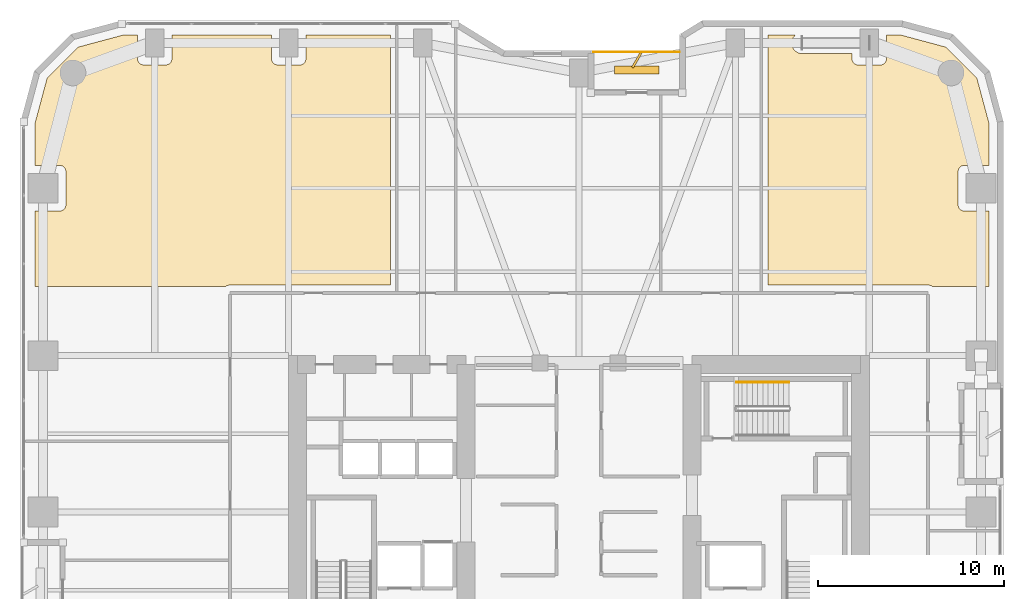
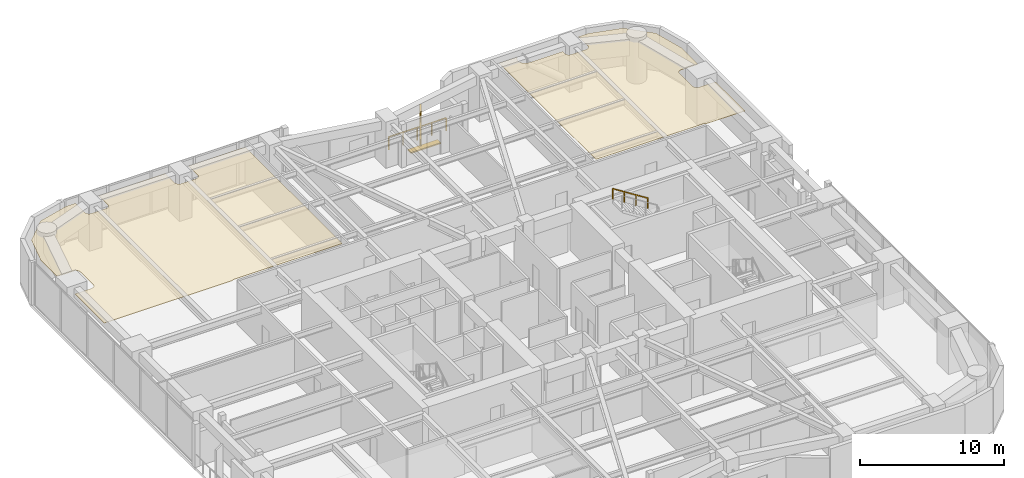
# One storey, part 24 of 24: 2 coverings, 2 railings, 2 shading devices.
"""IFC4 building model written with IfcOpenShell, lengths in metres."""

import ifcopenshell
import ifcopenshell.guid

model = None  # the IFC model being written
_history = None  # IfcOwnerHistory: only IFC2X3 demands one
_inside = {}  # id of a spatial element -> (the spatial element, [elements in it])
_under = {}  # id of a project, library or spatial element -> (it, [spatial elements below it])
_declared = {}  # id of a project -> (the project, [libraries it declares])
_typed = {}  # id of a type object -> (the type object, [elements of that type])
_made_of = {}  # id of a material, layer set ... -> (it, [elements and type objects made of it])


def new_model(schema):
    """Start an empty IFC model of exactly this schema.

    Asked for "IFC4X3", IfcOpenShell would pick the latest addendum, in which some entities
    have other attributes; the version numbers below select the first issue.
    IFC2X3 requires an IfcOwnerHistory on every rooted entity: one is made here for all.
    """
    global model, _history
    if schema == "IFC4X3":
        model = ifcopenshell.file(schema_version=(4, 3, 0, 0))
    else:
        model = ifcopenshell.file(schema=schema)
    _inside.clear()
    _under.clear()
    _declared.clear()
    _typed.clear()
    _made_of.clear()
    _history = None
    if model.schema == "IFC2X3":
        org = make("IfcOrganization", Name="unknown")
        user = make(
            "IfcPersonAndOrganization",
            ThePerson=make("IfcPerson", FamilyName="unknown"),
            TheOrganization=org,
        )
        app = make(
            "IfcApplication",
            ApplicationDeveloper=org,
            Version="unknown",
            ApplicationFullName="unknown",
            ApplicationIdentifier="unknown",
        )
        _history = make(
            "IfcOwnerHistory",
            OwningUser=user,
            OwningApplication=app,
            ChangeAction="ADDED",
            CreationDate=0,
        )
    return model


def make(cls, **values):
    """One entity of the class cls with the attributes given. An attribute that is None is left unset."""
    return model.create_entity(
        cls, **{name: value for name, value in values.items() if value is not None}
    )


def rooted(cls, **values):
    """An entity with a GlobalId (a new one), such as an element, a storey or a relation."""
    return make(cls, GlobalId=ifcopenshell.guid.new(), OwnerHistory=_history, **values)


def si_unit(unit_type, name, prefix=None):
    """IfcSIUnit, for example si_unit("LENGTHUNIT", "METRE", prefix="MILLI")."""
    return make("IfcSIUnit", UnitType=unit_type, Prefix=prefix, Name=name)


def assignment(units):
    """IfcUnitAssignment: the units of a project."""
    return None if units is None else make("IfcUnitAssignment", Units=units)


def point(xyz):
    """IfcCartesianPoint."""
    return None if xyz is None else make("IfcCartesianPoint", Coordinates=xyz)


def direction(xyz):
    """IfcDirection."""
    return None if xyz is None else make("IfcDirection", DirectionRatios=xyz)


def frame(location, z_axis=None, x_axis=None):
    """IfcAxis2Placement3D, a coordinate frame: its origin and axes. An axis left out is left unset."""
    return make(
        "IfcAxis2Placement3D",
        Location=point(location),
        Axis=direction(z_axis),
        RefDirection=direction(x_axis),
    )


def frame_2d(location, x_axis=None):
    """IfcAxis2Placement2D, a coordinate frame in the plane: its origin and x axis."""
    return make(
        "IfcAxis2Placement2D", Location=point(location), RefDirection=direction(x_axis)
    )


def origin():
    """The frame at (0, 0, 0) with its axes left unset."""
    return frame((0.0, 0.0, 0.0))


def origin_2d():
    """The frame at (0, 0) in the plane with its x axis left unset."""
    return frame_2d((0.0, 0.0))


def place(relative_to, where):
    """IfcLocalPlacement: puts the frame where relative to a parent placement (None: the world)."""
    return make(
        "IfcLocalPlacement", PlacementRelTo=relative_to, RelativePlacement=where
    )


def context(
    kind, dimensions, precision=None, world=None, true_north=None, identifier=None
):
    """IfcGeometricRepresentationContext, for example the 3D "Model" context."""
    return make(
        "IfcGeometricRepresentationContext",
        ContextIdentifier=identifier,
        ContextType=kind,
        CoordinateSpaceDimension=dimensions,
        Precision=precision,
        WorldCoordinateSystem=world,
        TrueNorth=true_north,
    )


def subcontext(parent, identifier, kind, view, scale=None):
    """IfcGeometricRepresentationSubContext, for example "Body" below "Model"."""
    return make(
        "IfcGeometricRepresentationSubContext",
        ContextIdentifier=identifier,
        ContextType=kind,
        ParentContext=parent,
        TargetScale=scale,
        TargetView=view,
    )


def project(units=None, contexts=None):
    """IfcProject with its units and contexts."""
    return rooted(
        "IfcProject",
        Name="project",
        RepresentationContexts=contexts,
        UnitsInContext=assignment(units),
    )


def spatial(cls, under=None, at=None, **own):
    """A site, building, storey or space (cls), placed at a placement, below another one or the project."""
    s = rooted(cls, ObjectPlacement=at, **own)
    if under is not None:
        _under.setdefault(under.id(), (under, []))[1].append(s)
    return s


def polyline(points):
    """IfcPolyline through the points."""
    return make("IfcPolyline", Points=[point(p) for p in points])


def profile(cls, at=None, kind="AREA", **sizes):
    """A parametric profile (cls). Its sizes go by their IFC names, for example OverallWidth=200.0."""
    return make(cls, ProfileType=kind, Position=at, **sizes)


def rectangle(**sizes):
    """IfcRectangleProfileDef."""
    return profile("IfcRectangleProfileDef", **sizes)


def outline(outer, holes=None, kind="AREA"):
    """IfcArbitraryClosedProfileDef: a profile drawn as a closed curve; with holes, ...WithVoids."""
    if holes is None:
        return make("IfcArbitraryClosedProfileDef", ProfileType=kind, OuterCurve=outer)
    return make(
        "IfcArbitraryProfileDefWithVoids",
        ProfileType=kind,
        OuterCurve=outer,
        InnerCurves=holes,
    )


def extrude(swept, where, along, depth):
    """IfcExtrudedAreaSolid: the profile swept, set in the frame where, extruded along a direction by depth."""
    return make(
        "IfcExtrudedAreaSolid",
        SweptArea=swept,
        Position=where,
        ExtrudedDirection=direction(along),
        Depth=depth,
    )


def shape(context_of_items, identifier, shape_type, items):
    """IfcShapeRepresentation: the items that make up one representation, for example the "Body"."""
    return make(
        "IfcShapeRepresentation",
        ContextOfItems=context_of_items,
        RepresentationIdentifier=identifier,
        RepresentationType=shape_type,
        Items=items,
    )


def material(Name=None, Category=None):
    """IfcMaterial."""
    return make("IfcMaterial", Name=Name, Category=Category)


def layer(
    of_material, thickness, ventilated=None, Name=None, Category=None, Priority=None
):
    """IfcMaterialLayer: one layer of a wall or slab, of a material (None: an air gap)."""
    return make(
        "IfcMaterialLayer",
        Material=of_material,
        LayerThickness=thickness,
        IsVentilated=ventilated,
        Name=Name,
        Category=Category,
        Priority=Priority,
    )


def layer_set(layers, Name=None):
    """IfcMaterialLayerSet."""
    return make("IfcMaterialLayerSet", MaterialLayers=layers, LayerSetName=Name)


def made_of(thing, what):
    """Note that an element or type object is made of a material, layer set ...; save() writes the relation."""
    if what is not None:
        _made_of.setdefault(what.id(), (what, []))[1].append(thing)
    return thing


def type_object(cls, material=None, **own):
    """A type object (cls), such as IfcWallType, which elements share."""
    return made_of(rooted(cls, **own), material)


def element(
    cls,
    number,
    at=None,
    inside=None,
    cuts=None,
    type_object=None,
    material=None,
    context=None,
    identifier="Body",
    shape_type=None,
    held_by="IfcProductDefinitionShape",
    body=None,
    shapes=None,
    **own,
):
    """One element of the class cls, such as IfcWall. Its Tag is "e" and its number.

    at: its placement. inside: the storey or other place that contains it. cuts: it is an
    opening in that element (IfcRelVoidsElement). A single representation is given by context,
    identifier, shape_type and body (its items); several are given by shapes. held_by: the class
    of the entity that holds the representations. save() writes the other relations.
    """
    e = rooted(cls, Tag="e%d" % number, ObjectPlacement=at, **own)
    if body is not None:
        shapes = [shape(context, identifier, shape_type, body)]
    if shapes is not None:
        e.Representation = make(held_by, Representations=shapes)
    if inside is not None:
        _inside.setdefault(inside.id(), (inside, []))[1].append(e)
    if cuts is not None:
        rooted(
            "IfcRelVoidsElement", RelatingBuildingElement=cuts, RelatedOpeningElement=e
        )
    if type_object is not None:
        _typed.setdefault(type_object.id(), (type_object, []))[1].append(e)
    return made_of(e, material)


def aggregate(whole, parts):
    """IfcRelAggregates: a whole, such as a stair, and the parts it consists of."""
    return rooted("IfcRelAggregates", RelatingObject=whole, RelatedObjects=parts)


def save(model, path):
    """Write the relations noted so far, then the file.

    IfcRelAggregates (storeys below a building ...), IfcRelContainedInSpatialStructure (elements
    in a storey), IfcRelDefinesByType, IfcRelAssociatesMaterial and IfcRelDeclares: one each for
    every whole, place, type object, material and project.
    """
    for whole, parts in _under.values():
        aggregate(whole, parts)
    for where, things in _inside.values():
        rooted(
            "IfcRelContainedInSpatialStructure",
            RelatedElements=things,
            RelatingStructure=where,
        )
    for kind, things in _typed.values():
        rooted("IfcRelDefinesByType", RelatedObjects=things, RelatingType=kind)
    for what, things in _made_of.values():
        rooted("IfcRelAssociatesMaterial", RelatedObjects=things, RelatingMaterial=what)
    for by, libraries in _declared.values():
        rooted("IfcRelDeclares", RelatingContext=by, RelatedDefinitions=libraries)
    model.write(path)


model = new_model("IFC4")

# Units and contexts
model_context = context("Model", 3, precision=1e-05, world=origin(), true_north=direction((0.0, 1.0)))
body_context = subcontext(model_context, "Body", "Model", "MODEL_VIEW")
ifc_project = project(units=[si_unit("LENGTHUNIT", "METRE"), si_unit("AREAUNIT", "SQUARE_METRE"), si_unit("VOLUMEUNIT", "CUBIC_METRE"), si_unit("PLANEANGLEUNIT", "RADIAN"), si_unit("MASSUNIT", "GRAM", prefix="KILO")], contexts=[model_context])

# Site, building, storey
site_placement = place(None, origin())
site = spatial("IfcSite", under=ifc_project, at=site_placement, CompositionType="ELEMENT")
building_placement = place(site_placement, origin())
building = spatial("IfcBuilding", under=site, at=building_placement, Name="Kiyonajd Concourse Tower", CompositionType="ELEMENT")
storey_placement = place(building_placement, frame((0.0, 0.0, 89.699951171875)))
storey = spatial("IfcBuildingStorey", under=building, at=storey_placement, Name="L23", CompositionType="ELEMENT", Elevation=89.699951171875)

# Coverings
ifc_material_1 = material(Name="Natural Oak Acoustic Timber Veneer", Category="wood")
ifc_layer = layer(ifc_material_1, 0.0400390625)
ifc_layer_set = layer_set([ifc_layer], Name="Natural Oak Acoustic Timber Veneer")
covering_type = type_object("IfcCoveringType", Name="CV-CLG-ACST", PredefinedType="CEILING", material=ifc_layer_set)
covering_1_placement = place(storey_placement, frame((0.0, 0.0, 3.4599609375)))
element("IfcCovering", 1, at=covering_1_placement, inside=storey, type_object=covering_type, Name="L23-46 Room Acoustic Ceiling", PredefinedType="CEILING", context=body_context, shape_type="SweptSolid", body=[
    extrude(outline(polyline([(21.097900390625, 60.986083984375), (23.5009765625, 61.6298828125), (24.27001953125, 61.6298828125), (24.27197265625, 60.3359375), (24.297119140625, 60.236083984375), (24.3291015625, 60.176025390625), (24.373046875, 60.123046875), (24.426025390625, 60.0791015625), (24.486083984375, 60.047119140625), (24.5859375, 60.02197265625), (25.81396484375, 60.02197265625), (25.9140625, 60.047119140625), (26.001953125, 60.09912109375), (26.051025390625, 60.14794921875), (26.089111328125, 60.205078125), (26.123046875, 60.302001953125), (26.1298828125, 60.3701171875), (26.1298828125, 61.6298828125), (31.469970703125, 61.6298828125), (31.471923828125, 60.3359375), (31.4970703125, 60.236083984375), (31.529052734375, 60.176025390625), (31.572998046875, 60.123046875), (31.6259765625, 60.0791015625), (31.68603515625, 60.047119140625), (31.785888671875, 60.02197265625), (32.97998046875, 60.02001953125), (33.048095703125, 60.027099609375), (33.114013671875, 60.047119140625), (33.201904296875, 60.09912109375), (33.2509765625, 60.14794921875), (33.2890625, 60.205078125), (33.322998046875, 60.302001953125), (33.330078125, 60.3701171875), (33.330078125, 61.6298828125), (37.860107421875, 61.6298828125), (37.860107421875, 48.199951171875), (29.25, 48.199951171875), (29.1201171875, 48.179931640625), (29.056884765625, 48.154052734375), (29.001953125, 48.1201171875), (18.77001953125, 48.1201171875), (18.77001953125, 52.169921875), (20.080078125, 52.169921875), (20.14794921875, 52.177001953125), (20.2451171875, 52.2109375), (20.302001953125, 52.2490234375), (20.35107421875, 52.298095703125), (20.388916015625, 52.35498046875), (20.4150390625, 52.41796875), (20.429931640625, 52.52001953125), (20.429931640625, 54.280029296875), (20.4150390625, 54.382080078125), (20.388916015625, 54.445068359375), (20.35107421875, 54.501953125), (20.302001953125, 54.551025390625), (20.2451171875, 54.589111328125), (20.181884765625, 54.614990234375), (20.114013671875, 54.6279296875), (18.77001953125, 54.6298828125), (18.77001953125, 56.89892578125), (19.4140625, 59.302001953125), (21.097900390625, 60.986083984375)])), origin(), (0.0, 0.0, 1.0), 0.0400390625),
])
covering_2_placement = place(storey_placement, frame((0.0, 0.0, 3.4599609375)))
element("IfcCovering", 2, at=covering_2_placement, inside=storey, type_object=covering_type, Name="L23-50 Room Acoustic Ceiling", PredefinedType="CEILING", context=body_context, shape_type="SweptSolid", body=[
    extrude(outline(polyline([(59.6259765625, 61.6298828125), (59.5390625, 61.533935546875), (59.498046875, 61.469970703125), (59.467041015625, 61.40087890625), (59.43603515625, 61.27490234375), (59.429931640625, 61.199951171875), (59.43603515625, 61.125), (59.467041015625, 60.9990234375), (59.498046875, 60.929931640625), (59.5390625, 60.865966796875), (59.637939453125, 60.759033203125), (59.759033203125, 60.68408203125), (59.87109375, 60.64501953125), (59.97802734375, 60.631103515625), (62.669921875, 60.6298828125), (62.672119140625, 60.3359375), (62.68505859375, 60.26806640625), (62.7109375, 60.205078125), (62.77294921875, 60.123046875), (62.85498046875, 60.06103515625), (62.91796875, 60.034912109375), (63.02001953125, 60.02001953125), (64.179931640625, 60.02001953125), (64.281982421875, 60.034912109375), (64.3740234375, 60.0791015625), (64.427001953125, 60.123046875), (64.470947265625, 60.176025390625), (64.514892578125, 60.26806640625), (64.528076171875, 60.3359375), (64.530029296875, 61.6298828125), (65.299072265625, 61.6298828125), (67.701904296875, 60.986083984375), (69.385986328125, 59.302001953125), (70.030029296875, 56.89892578125), (70.030029296875, 54.6298828125), (68.68603515625, 54.6279296875), (68.617919921875, 54.614990234375), (68.554931640625, 54.589111328125), (68.498046875, 54.551025390625), (68.448974609375, 54.501953125), (68.410888671875, 54.445068359375), (68.385009765625, 54.382080078125), (68.3701171875, 54.280029296875), (68.3720703125, 52.486083984375), (68.39697265625, 52.385986328125), (68.448974609375, 52.298095703125), (68.498046875, 52.2490234375), (68.554931640625, 52.2109375), (68.652099609375, 52.177001953125), (68.719970703125, 52.169921875), (70.030029296875, 52.169921875), (70.030029296875, 48.1201171875), (66.998046875, 48.1201171875), (66.943115234375, 48.154052734375), (66.8798828125, 48.179931640625), (66.75, 48.199951171875), (58.159912109375, 48.199951171875), (58.159912109375, 61.6298828125), (59.6259765625, 61.6298828125)])), origin(), (0.0, 0.0, 1.0), 0.0400390625),
])

# Railings
ifc_material_2 = material(Name="Thermally Broken Anodised Aluminium", Category="aluminium")
railing_type_1 = type_object("IfcRailingType", Name="RL-GRD-LOG", PredefinedType="GUARDRAIL", material=ifc_material_2)
railing_1_placement = place(storey_placement, frame((53.39990234375, 60.719970703125, 0.0)))
element("IfcRailing", 3, at=railing_1_placement, inside=storey, type_object=railing_type_1, Name="L23 Engawa Loggia Perimeter Guard LOG-N", PredefinedType="GUARDRAIL", context=body_context, shape_type="SweptSolid", body=[
    extrude(rectangle(XDim=0.048095703125, YDim=0.048095703125, at=origin_2d()), frame((0.0, 0.0, 1.076171875), z_axis=(-1.0, 0.0, 0.0), x_axis=(0.0, -1.0, 0.0)), (0.0, 0.0, 1.0), 4.599853515625),
    extrude(rectangle(XDim=0.0419921875, YDim=0.0419921875, at=origin_2d()), origin(), (0.0, 0.0, 1.0), 1.052001953125),
    extrude(rectangle(XDim=0.0419921875, YDim=0.0419921875, at=origin_2d()), frame((-1.14990234375, 0.0, 0.0)), (0.0, 0.0, 1.0), 1.052001953125),
    extrude(rectangle(XDim=0.0419921875, YDim=0.0419921875, at=origin_2d()), frame((-2.2998046875, 0.0, 0.0)), (0.0, 0.0, 1.0), 1.052001953125),
    extrude(rectangle(XDim=0.0419921875, YDim=0.0419921875, at=origin_2d()), frame((-3.449951171875, 0.0, 0.0)), (0.0, 0.0, 1.0), 1.052001953125),
    extrude(rectangle(XDim=0.0419921875, YDim=0.0419921875, at=origin_2d()), frame((-4.599853515625, 0.0, 0.0)), (0.0, 0.0, 1.0), 1.052001953125),
])
ifc_material_3 = material(Name="Brushed Stainless Steel Cab Assembly", Category="steel")
railing_type_2 = type_object("IfcRailingType", Name="RL-HND-900", PredefinedType="HANDRAIL", material=ifc_material_3)
railing_2_placement = place(storey_placement, frame((59.280029296875, 42.969970703125, 2.12744140625)))
element("IfcRailing", 4, at=railing_2_placement, inside=storey, type_object=railing_type_2, Name="L23 ST3 stair handrail 2", PredefinedType="HANDRAIL", context=body_context, shape_type="SweptSolid", body=[
    extrude(rectangle(XDim=0.048095703125, YDim=0.048095703125, at=origin_2d()), frame((0.0, 0.0, 0.8759765625), z_axis=(-0.844908973607, 0.0, 0.534910110503), x_axis=(0.0, -1.0, 0.0)), (0.0, 0.0, 1.0), 3.31396484375),
    extrude(rectangle(XDim=0.0419921875, YDim=0.0419921875, at=origin_2d()), origin(), (0.0, 0.0, 1.0), 0.851806640625),
    extrude(rectangle(XDim=0.0419921875, YDim=0.0419921875, at=origin_2d()), frame((-0.933349609375, 0.0, 0.5908203125)), (0.0, 0.0, 1.0), 0.851806640625),
    extrude(rectangle(XDim=0.0419921875, YDim=0.0419921875, at=origin_2d()), frame((-1.86669921875, 0.0, 1.181884765625)), (0.0, 0.0, 1.0), 0.851806640625),
    extrude(rectangle(XDim=0.0419921875, YDim=0.0419921875, at=origin_2d()), frame((-2.800048828125, 0.0, 1.772705078125)), (0.0, 0.0, 1.0), 0.851806640625),
])

# Shading devices
ifc_material_4 = material(Name="Precast concrete C50/60", Category="concrete")
shading_device_type_1 = type_object("IfcShadingDeviceType", Name="SH-FIN-900", PredefinedType="USERDEFINED", material=ifc_material_4)
shading_device_1_placement = place(storey_placement, frame((51.10009765625, 60.27001953125, 0.0), z_axis=(0.0, 0.0, 1.0), x_axis=(0.5, 0.866025403784, 0.0)))
element("IfcShadingDevice", 5, at=shading_device_1_placement, inside=storey, type_object=shading_device_type_1, Name="L23 Angled Koshi Solar Fin LOG-N", ObjectType="FIN", PredefinedType="USERDEFINED", context=body_context, shape_type="SweptSolid", body=[
    extrude(rectangle(XDim=0.89990234375, YDim=0.1201171875, at=origin_2d()), origin(), (0.0, 0.0, 1.0), 3.0),
])
shading_device_type_2 = type_object("IfcShadingDeviceType", Name="SH-LVR-600", PredefinedType="JALOUSIE", material=ifc_material_2)
shading_device_2_placement = place(storey_placement, frame((51.10009765625, 59.75, 0.0), z_axis=(0.0, 0.0, 1.0), x_axis=(1.0, 0.0, 0.0)))
element("IfcShadingDevice", 6, at=shading_device_2_placement, inside=storey, type_object=shading_device_type_2, Name="L23 Loggia Threshold Louver LOG-N", PredefinedType="JALOUSIE", context=body_context, shape_type="SweptSolid", body=[
    extrude(rectangle(XDim=2.39990234375, YDim=0.449951171875, at=origin_2d()), origin(), (0.0, 0.0, 1.0), 0.10009765625),
])

save(model, "model.ifc")
